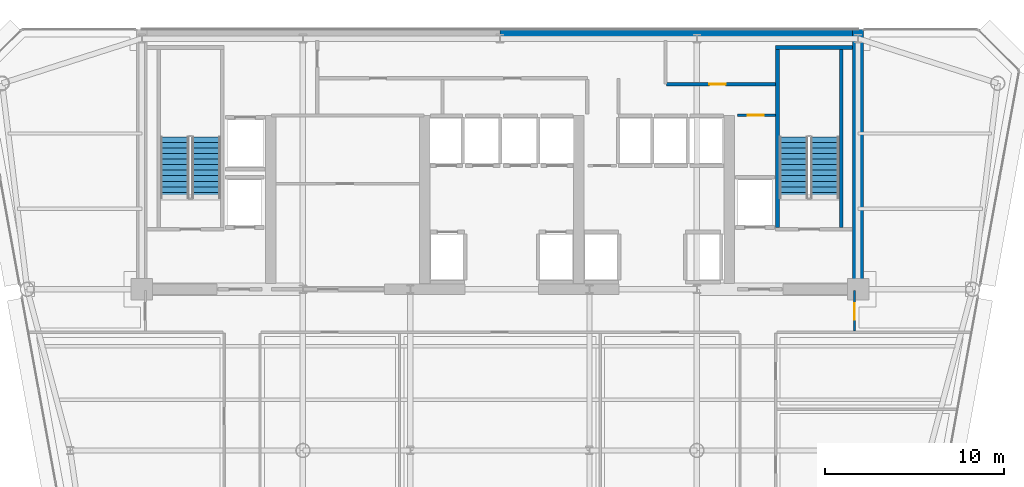
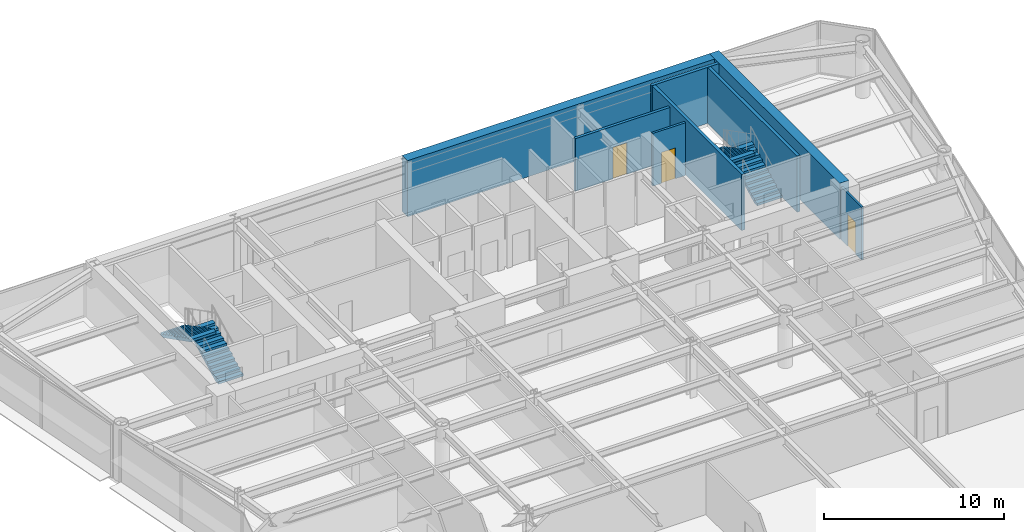
# One storey, part 13 of 17: 8 walls, 4 stair flights, 3 doors, 3 openings, 2 elements without a shape of their own.
"""IFC4 building model written with IfcOpenShell, lengths in metres."""

from ifc_helpers import new_model, si_unit, direction, frame, frame_2d, origin, place, context, subcontext, project, spatial, polyline, rectangle, outline, extrude, source, transform, mapped, material, layer, layer_set, type_object, element, fill, aggregate, save


model = new_model("IFC4")

# Units and contexts
model_context = context("Model", 3, precision=1e-05, world=origin(), true_north=direction((0.0, 1.0)))
body_context = subcontext(model_context, "Body", "Model", "MODEL_VIEW")
ifc_project = project(units=[si_unit("LENGTHUNIT", "METRE"), si_unit("AREAUNIT", "SQUARE_METRE"), si_unit("VOLUMEUNIT", "CUBIC_METRE"), si_unit("PLANEANGLEUNIT", "RADIAN"), si_unit("MASSUNIT", "GRAM", prefix="KILO")], contexts=[model_context])

# Site, building, storey
site_placement = place(None, origin())
site = spatial("IfcSite", under=ifc_project, at=site_placement, CompositionType="ELEMENT")
building_placement = place(site_placement, origin())
building = spatial("IfcBuilding", under=site, at=building_placement, Name="Vaeldorn Concourse Tower", CompositionType="ELEMENT")
storey_placement = place(building_placement, frame((0.0, 0.0, 169.0)))
storey = spatial("IfcBuildingStorey", under=building, at=storey_placement, Name="L43", CompositionType="ELEMENT", Elevation=169.0)

# Walls
ifc_material_1 = material(Name="Concrete C50/60", Category="concrete")
ifc_layer_1 = layer(ifc_material_1, 0.60009765625)
ifc_layer_set_1 = layer_set([ifc_layer_1], Name="Concrete C50/60")
wall_type_1 = type_object("IfcWallType", Name="WL-CORE-600", PredefinedType="SHEAR", material=ifc_layer_set_1)
wall_1_placement = place(storey_placement, frame((34.001953125, 50.699951171875, 0.0), z_axis=(0.0, 0.0, 1.0), x_axis=(1.0, 0.0, 0.0)))
element("IfcWall", 1, at=wall_1_placement, inside=storey, type_object=wall_type_1, Name="Rear Core Shear Wall L43 N2", PredefinedType="SHEAR", context=body_context, shape_type="SweptSolid", body=[
    extrude(rectangle(XDim=19.694091796875, YDim=0.60009765625, at=frame_2d((9.84716796875, 0.0))), origin(), (0.0, 0.0, 1.0), 3.800048828125),
])
wall_2_placement = place(storey_placement, frame((54.0, 36.5, 0.0), z_axis=(0.0, 0.0, 1.0), x_axis=(0.0, 1.0, 0.0)))
element("IfcWall", 2, at=wall_2_placement, inside=storey, type_object=wall_type_1, Name="Rear Core Shear Wall L43 E1", PredefinedType="SHEAR", context=body_context, shape_type="SweptSolid", body=[
    extrude(rectangle(XDim=14.5, YDim=0.60009765625, at=frame_2d((7.25, 0.0))), origin(), (0.0, 0.0, 1.0), 3.800048828125),
])

# Wall, opening, door
ifc_material_2 = material(Name="Gypsum Board Partition", Category="gypsum")
ifc_layer_2 = layer(ifc_material_2, 0.1201171875)
ifc_layer_set_2 = layer_set([ifc_layer_2], Name="Gypsum Board Partition")
wall_type_2 = type_object("IfcWallType", Name="WL-PART-120", PredefinedType="PARTITIONING", material=ifc_layer_set_2)
wall_3_placement = place(storey_placement, frame((53.800048828125, 34.159912109375, 0.0), z_axis=(0.0, 0.0, 1.0), x_axis=(0.0, 1.0, 0.0)))
wall_3 = element("IfcWall", 3, at=wall_3_placement, inside=storey, type_object=wall_type_2, Name="Interior Wall PW-L43-CEET", PredefinedType="PARTITIONING", context=body_context, shape_type="SweptSolid", body=[
    extrude(rectangle(XDim=2.280029296875, YDim=0.1201171875, at=frame_2d((1.14013671875, 0.0))), origin(), (0.0, 0.0, 1.0), 3.580078125),
])
opening_1_placement = place(wall_3_placement, frame((0.64990234375, 0.0, 0.0)))
opening_1 = element("IfcOpeningElement", 4, at=opening_1_placement, cuts=wall_3, Name="Opening D-03", PredefinedType="OPENING", context=body_context, shape_type="SweptSolid", body=[
    extrude(rectangle(XDim=0.89990234375, YDim=2.14990234375, at=frame_2d((0.449951171875, 1.074951171875))), frame((0.0, 0.070068359375, 0.0), z_axis=(0.0, -1.0, 0.0), x_axis=(1.0, 0.0, 0.0)), (0.0, 0.0, 1.0), 0.14013671875),
])
ifc_material_3 = material(Name="Acoustic Bronze-Framed Glass Door", Category="glass")
door_type_1 = type_object("IfcDoorType", Name="DR-INT-900", OperationType="NOTDEFINED", PredefinedType="DOOR", material=ifc_material_3)
shared_shape_1 = source(origin(), body_context, "Body", "SweptSolid", [
    extrude(rectangle(XDim=0.89990234375, YDim=2.14990234375, at=frame_2d((0.449951171875, 1.074951171875))), frame((0.0, 0.02490234375, 0.0), z_axis=(0.0, -1.0, 0.0), x_axis=(1.0, 0.0, 0.0)), (0.0, 0.0, 1.0), 0.050048828125),
])
door_1_placement = place(opening_1_placement, origin())
door_1 = element("IfcDoor", 5, at=door_1_placement, inside=storey, type_object=door_type_1, Name="Interior Door DR-L43-NE1", OperationType="SINGLE_SWING_RIGHT", OverallHeight=2.14990234375, OverallWidth=0.89990234375, PredefinedType="DOOR", context=body_context, shape_type="MappedRepresentation", body=[
    mapped(shared_shape_1, transform((0.0, 0.0, 0.0), scale=1.0)),
])
fill(opening_1, door_1)

ifc_layer_3 = layer(ifc_material_2, 0.14990234375)
ifc_layer_set_3 = layer_set([ifc_layer_3], Name="Gypsum Board Partition")
wall_type_3 = type_object("IfcWallType", Name="WL-PART-150", PredefinedType="PARTITIONING", material=ifc_layer_set_3)
wall_4_placement = place(storey_placement, frame((47.280029296875, 46.219970703125, 0.0), z_axis=(0.0, 0.0, 1.0), x_axis=(1.0, 0.0, 0.0)))
wall_4 = element("IfcWall", 6, at=wall_4_placement, inside=storey, type_object=wall_type_3, Name="Interior Wall CW-L43-CRSE-N", PredefinedType="PARTITIONING", context=body_context, shape_type="SweptSolid", body=[
    extrude(rectangle(XDim=2.099853515625, YDim=0.14990234375, at=frame_2d((1.0498046875, 0.0))), origin(), (0.0, 0.0, 1.0), 3.580078125),
])
opening_2_placement = place(wall_4_placement, frame((0.550048828125, 0.0, 0.0)))
opening_2 = element("IfcOpeningElement", 7, at=opening_2_placement, cuts=wall_4, Name="Opening D-02", PredefinedType="OPENING", context=body_context, shape_type="SweptSolid", body=[
    extrude(rectangle(XDim=0.89990234375, YDim=2.10009765625, at=frame_2d((0.449951171875, 1.050048828125))), frame((0.0, 0.0849609375, 0.0), z_axis=(0.0, -1.0, 0.0), x_axis=(1.0, 0.0, 0.0)), (0.0, 0.0, 1.0), 0.169921875),
])
ifc_material_4 = material(Name="Fire-Rated Timber Leaf", Category="wood")
door_type_2 = type_object("IfcDoorType", Name="DR-FD30-900", OperationType="NOTDEFINED", PredefinedType="DOOR", material=ifc_material_4)
shared_shape_2 = source(origin(), body_context, "Body", "SweptSolid", [
    extrude(rectangle(XDim=0.89990234375, YDim=2.10009765625, at=frame_2d((0.449951171875, 1.050048828125))), frame((0.0, 0.02490234375, 0.0), z_axis=(0.0, -1.0, 0.0), x_axis=(1.0, 0.0, 0.0)), (0.0, 0.0, 1.0), 0.050048828125),
])
door_2_placement = place(opening_2_placement, origin())
door_2 = element("IfcDoor", 8, at=door_2_placement, inside=storey, type_object=door_type_2, Name="Interior Door DR-L43-CRSE", OperationType="SINGLE_SWING_RIGHT", OverallHeight=2.10009765625, OverallWidth=0.89990234375, PredefinedType="DOOR", context=body_context, shape_type="MappedRepresentation", body=[
    mapped(shared_shape_2, transform((0.0, 0.0, 0.0), scale=1.0)),
])
fill(opening_2, door_2)

ifc_layer_4 = layer(ifc_material_2, 0.179931640625)
ifc_layer_set_4 = layer_set([ifc_layer_4], Name="Gypsum Board Partition")
wall_type_4 = type_object("IfcWallType", Name="WL-PLUMB-180", PredefinedType="PLUMBINGWALL", material=ifc_layer_set_4)
wall_5_placement = place(storey_placement, frame((43.300048828125, 47.949951171875, 0.0), z_axis=(0.0, 0.0, 1.0), x_axis=(1.0, 0.0, 0.0)))
wall_5 = element("IfcWall", 9, at=wall_5_placement, inside=storey, type_object=wall_type_4, Name="Interior Wall CW-L43-NS2EE", PredefinedType="PLUMBINGWALL", context=body_context, shape_type="SweptSolid", body=[
    extrude(rectangle(XDim=6.079833984375, YDim=0.179931640625, at=frame_2d((3.0400390625, 0.0))), origin(), (0.0, 0.0, 1.0), 3.580078125),
])
opening_3_placement = place(wall_5_placement, frame((2.39990234375, 0.0, 0.0)))
opening_3 = element("IfcOpeningElement", 10, at=opening_3_placement, cuts=wall_5, Name="Opening D-03", PredefinedType="OPENING", context=body_context, shape_type="SweptSolid", body=[
    extrude(rectangle(XDim=0.89990234375, YDim=2.14990234375, at=frame_2d((0.449951171875, 1.074951171875))), frame((0.0, 0.10009765625, 0.0), z_axis=(0.0, -1.0, 0.0), x_axis=(1.0, 0.0, 0.0)), (0.0, 0.0, 1.0), 0.199951171875),
])
door_3_placement = place(opening_3_placement, origin())
door_3 = element("IfcDoor", 11, at=door_3_placement, inside=storey, type_object=door_type_1, Name="Interior Door DR-L43-CS5", OperationType="SINGLE_SWING_RIGHT", OverallHeight=2.14990234375, OverallWidth=0.89990234375, PredefinedType="DOOR", context=body_context, shape_type="MappedRepresentation", body=[
    mapped(shared_shape_1, transform((0.0, 0.0, 0.0), scale=1.0)),
])
fill(opening_3, door_3)

# Walls
ifc_layer_5 = layer(ifc_material_1, 0.199951171875)
ifc_layer_set_5 = layer_set([ifc_layer_5], Name="Concrete C50/60")
wall_type_5 = type_object("IfcWallType", Name="WL-SHAFT-200", PredefinedType="SOLIDWALL", material=ifc_layer_set_5)
wall_6_placement = place(storey_placement, frame((49.39990234375, 50.0, 0.0), z_axis=(0.0, 0.0, 1.0), x_axis=(1.0, 0.0, 0.0)))
element("IfcWall", 12, at=wall_6_placement, inside=storey, type_object=wall_type_5, Name="Stair Shaft Wall CW-L43-ST-2-N", PredefinedType="SOLIDWALL", context=body_context, shape_type="SweptSolid", body=[
    extrude(rectangle(XDim=4.300048828125, YDim=0.199951171875, at=frame_2d((2.14990234375, 0.0))), origin(), (0.0, 0.0, 1.0), 3.800048828125),
])
for number, where, z_axis, x_axis, name in (
    (13, (49.5, 39.9599609375, 0.0), (0.0, 0.0, 1.0), (0.0, 1.0, 0.0), "Stair Shaft Wall CW-L43-ST-2-W"),
    (14, (53.050048828125, 39.9599609375, 0.0), (0.0, 0.0, 1.0), (0.0, 1.0, 0.0), "Stair Shaft Wall CW-L43-ST-2-E"),
):
    element("IfcWall", number, at=place(storey_placement, frame(where, z_axis=z_axis, x_axis=x_axis)), inside=storey, type_object=wall_type_5, Name=name, PredefinedType="SOLIDWALL", context=body_context, shape_type="SweptSolid", body=[
        extrude(rectangle(XDim=9.929931640625, YDim=0.199951171875, at=frame_2d((4.96484375, 0.0))), origin(), (0.0, 0.0, 1.0), 3.800048828125),
    ])

# Stair, stair flights
ifc_material_5 = material(Name="Precast concrete C40/50", Category="concrete")
stair_type = type_object("IfcStairType", Name="STR-DOG-24x158", PredefinedType="HALF_TURN_STAIR", material=ifc_material_5)
stair_1_placement = place(storey_placement, origin())
stair_1 = element("IfcStair", 15, at=stair_1_placement, inside=storey, type_object=stair_type, Name="L43 West Core Exit Stair ST-1", PredefinedType="HALF_TURN_STAIR")
stair_flight_type = type_object("IfcStairFlightType", Name="STF-STR-12x158", PredefinedType="STRAIGHT", material=ifc_material_5)
stair_flight_1_placement = place(storey_placement, frame((17.60009765625, 41.60009765625, 0.0), z_axis=(0.0, 0.0, 1.0), x_axis=(0.0, 1.0, 0.0)))
stair_flight_1 = element("IfcStairFlight", 16, at=stair_flight_1_placement, type_object=stair_flight_type, Name="ST-1 flight 1", NumberOfRisers=12, NumberOfTreads=11, PredefinedType="STRAIGHT", RiserHeight=0.158333333, TreadLength=0.31, context=body_context, shape_type="SweptSolid", body=[
    extrude(outline(polyline([(0.0, 0.0), (0.0, 0.158447265625), (0.31005859375, 0.158447265625), (0.31005859375, 0.316650390625), (0.6201171875, 0.316650390625), (0.6201171875, 0.47509765625), (0.929931640625, 0.47509765625), (0.929931640625, 0.63330078125), (1.239990234375, 0.63330078125), (1.239990234375, 0.791748046875), (1.550048828125, 0.791748046875), (1.550048828125, 0.949951171875), (1.860107421875, 0.949951171875), (1.860107421875, 1.1083984375), (2.169921875, 1.1083984375), (2.169921875, 1.2666015625), (2.47998046875, 1.2666015625), (2.47998046875, 1.425048828125), (2.7900390625, 1.425048828125), (2.7900390625, 1.583251953125), (3.10009765625, 1.583251953125), (3.10009765625, 1.74169921875), (3.409912109375, 1.74169921875), (3.409912109375, 1.89990234375), (3.409912109375, 1.5732421875), (0.32958984375, 0.0), (0.0, 0.0)])), frame((0.0, 0.800048828125, 0.0), z_axis=(0.0, -1.0, 0.0), x_axis=(1.0, 0.0, 0.0)), (0.0, 0.0, 1.0), 1.60009765625),
])
stair_flight_2_placement = place(storey_placement, frame((15.85009765625, 45.010009765625, 1.89990234375), z_axis=(0.0, 0.0, 1.0), x_axis=(0.0, -1.0, 0.0)))
stair_flight_2 = element("IfcStairFlight", 17, at=stair_flight_2_placement, type_object=stair_flight_type, Name="ST-1 flight 2", NumberOfRisers=12, NumberOfTreads=11, PredefinedType="STRAIGHT", RiserHeight=0.158333333, TreadLength=0.31, context=body_context, shape_type="SweptSolid", body=[
    extrude(outline(polyline([(0.0, 0.0), (0.0, 0.158447265625), (0.31005859375, 0.158447265625), (0.31005859375, 0.316650390625), (0.6201171875, 0.316650390625), (0.6201171875, 0.47509765625), (0.929931640625, 0.47509765625), (0.929931640625, 0.63330078125), (1.239990234375, 0.63330078125), (1.239990234375, 0.791748046875), (1.550048828125, 0.791748046875), (1.550048828125, 0.949951171875), (1.860107421875, 0.949951171875), (1.860107421875, 1.1083984375), (2.169921875, 1.1083984375), (2.169921875, 1.2666015625), (2.47998046875, 1.2666015625), (2.47998046875, 1.425048828125), (2.7900390625, 1.425048828125), (2.7900390625, 1.583251953125), (3.10009765625, 1.583251953125), (3.10009765625, 1.74169921875), (3.409912109375, 1.74169921875), (3.409912109375, 1.89990234375), (3.409912109375, 1.5732421875), (0.32958984375, 0.0), (0.0, 0.0)])), frame((0.0, 0.800048828125, 0.0), z_axis=(0.0, -1.0, 0.0), x_axis=(1.0, 0.0, 0.0)), (0.0, 0.0, 1.0), 1.60009765625),
])
aggregate(stair_1, [stair_flight_1, stair_flight_2])

stair_2_placement = place(storey_placement, origin())
stair_2 = element("IfcStair", 18, at=stair_2_placement, inside=storey, type_object=stair_type, Name="L43 East Core Exit Stair ST-2", PredefinedType="HALF_TURN_STAIR")
stair_flight_3_placement = place(storey_placement, frame((52.14990234375, 41.60009765625, 0.0), z_axis=(0.0, 0.0, 1.0), x_axis=(0.0, 1.0, 0.0)))
stair_flight_3 = element("IfcStairFlight", 19, at=stair_flight_3_placement, type_object=stair_flight_type, Name="ST-2 flight 1", NumberOfRisers=12, NumberOfTreads=11, PredefinedType="STRAIGHT", RiserHeight=0.158333333, TreadLength=0.31, context=body_context, shape_type="SweptSolid", body=[
    extrude(outline(polyline([(0.0, 0.0), (0.0, 0.158447265625), (0.31005859375, 0.158447265625), (0.31005859375, 0.316650390625), (0.6201171875, 0.316650390625), (0.6201171875, 0.47509765625), (0.929931640625, 0.47509765625), (0.929931640625, 0.63330078125), (1.239990234375, 0.63330078125), (1.239990234375, 0.791748046875), (1.550048828125, 0.791748046875), (1.550048828125, 0.949951171875), (1.860107421875, 0.949951171875), (1.860107421875, 1.1083984375), (2.169921875, 1.1083984375), (2.169921875, 1.2666015625), (2.47998046875, 1.2666015625), (2.47998046875, 1.425048828125), (2.7900390625, 1.425048828125), (2.7900390625, 1.583251953125), (3.10009765625, 1.583251953125), (3.10009765625, 1.74169921875), (3.409912109375, 1.74169921875), (3.409912109375, 1.89990234375), (3.409912109375, 1.5732421875), (0.32958984375, 0.0), (0.0, 0.0)])), frame((0.0, 0.800048828125, 0.0), z_axis=(0.0, -1.0, 0.0), x_axis=(1.0, 0.0, 0.0)), (0.0, 0.0, 1.0), 1.60009765625),
])
stair_flight_4_placement = place(storey_placement, frame((50.39990234375, 45.010009765625, 1.89990234375), z_axis=(0.0, 0.0, 1.0), x_axis=(0.0, -1.0, 0.0)))
stair_flight_4 = element("IfcStairFlight", 20, at=stair_flight_4_placement, type_object=stair_flight_type, Name="ST-2 flight 2", NumberOfRisers=12, NumberOfTreads=11, PredefinedType="STRAIGHT", RiserHeight=0.158333333, TreadLength=0.31, context=body_context, shape_type="SweptSolid", body=[
    extrude(outline(polyline([(0.0, 0.0), (0.0, 0.158447265625), (0.31005859375, 0.158447265625), (0.31005859375, 0.316650390625), (0.6201171875, 0.316650390625), (0.6201171875, 0.47509765625), (0.929931640625, 0.47509765625), (0.929931640625, 0.63330078125), (1.239990234375, 0.63330078125), (1.239990234375, 0.791748046875), (1.550048828125, 0.791748046875), (1.550048828125, 0.949951171875), (1.860107421875, 0.949951171875), (1.860107421875, 1.1083984375), (2.169921875, 1.1083984375), (2.169921875, 1.2666015625), (2.47998046875, 1.2666015625), (2.47998046875, 1.425048828125), (2.7900390625, 1.425048828125), (2.7900390625, 1.583251953125), (3.10009765625, 1.583251953125), (3.10009765625, 1.74169921875), (3.409912109375, 1.74169921875), (3.409912109375, 1.89990234375), (3.409912109375, 1.5732421875), (0.32958984375, 0.0), (0.0, 0.0)])), frame((0.0, 0.800048828125, 0.0), z_axis=(0.0, -1.0, 0.0), x_axis=(1.0, 0.0, 0.0)), (0.0, 0.0, 1.0), 1.60009765625),
])
aggregate(stair_2, [stair_flight_3, stair_flight_4])

save(model, "model.ifc")
